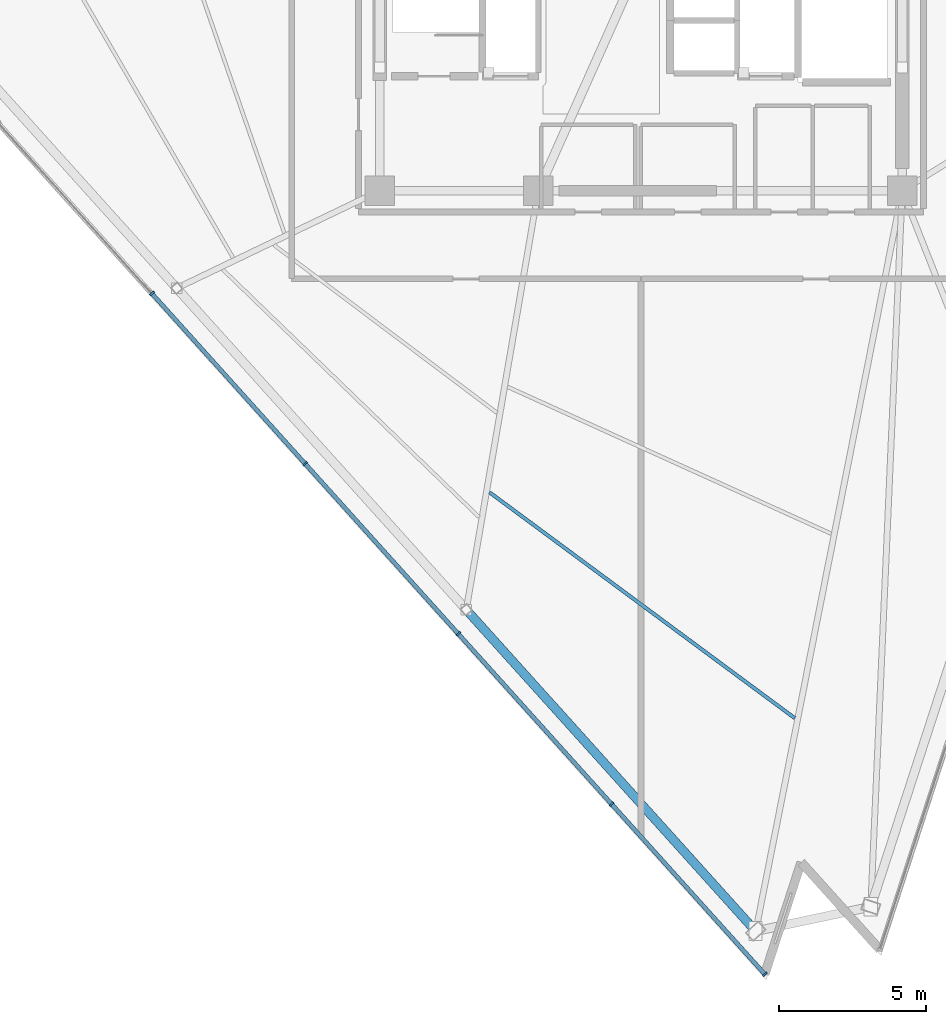
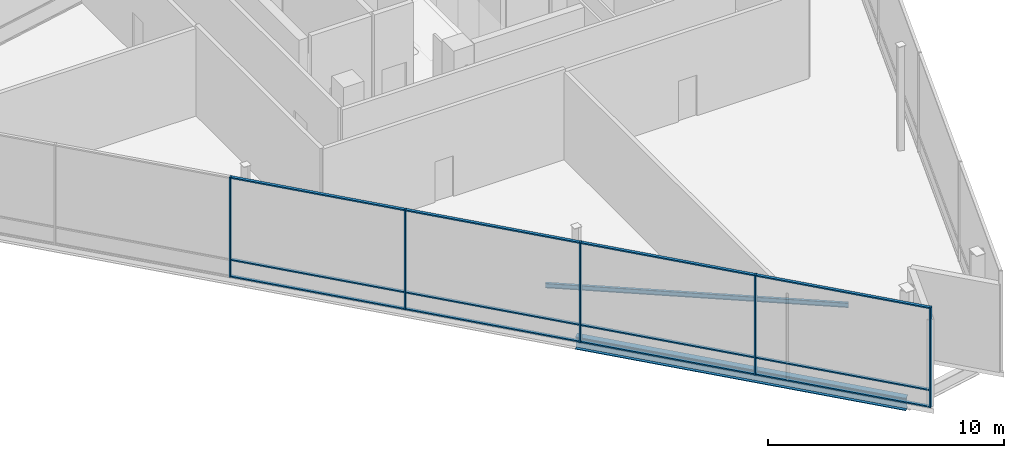
# One storey, part 3 of 14: 17 members, 2 beams, 1 element without a shape of its own.
"""IFC4 building model written with IfcOpenShell, lengths in metres."""

from ifc_helpers import new_model, si_unit, direction, frame, origin, origin_2d, place, context, subcontext, project, spatial, rectangle, i_section, extrude, material, layer, layer_set, material_profile, profile_set, type_object, element, aggregate, save


model = new_model("IFC4")

# Units and contexts
model_context = context("Model", 3, precision=1e-05, world=origin(), true_north=direction((0.0, 1.0)))
body_context = subcontext(model_context, "Body", "Model", "MODEL_VIEW")
ifc_project = project(units=[si_unit("LENGTHUNIT", "METRE"), si_unit("AREAUNIT", "SQUARE_METRE"), si_unit("VOLUMEUNIT", "CUBIC_METRE"), si_unit("PLANEANGLEUNIT", "RADIAN"), si_unit("MASSUNIT", "GRAM", prefix="KILO")], contexts=[model_context])

# Site, building, storey
site_placement = place(None, origin())
site = spatial("IfcSite", under=ifc_project, at=site_placement, CompositionType="ELEMENT")
building_placement = place(site_placement, origin())
building = spatial("IfcBuilding", under=site, at=building_placement, Name="Tharavind Bronze Gate", CompositionType="ELEMENT")
storey_placement = place(building_placement, frame((0.0, 0.0, 310.85009765625)))
storey = spatial("IfcBuildingStorey", under=building, at=storey_placement, Name="L80", CompositionType="ELEMENT", Elevation=310.85009765625)

# Curtain wall, members
ifc_material_1 = material(Name="Anodised Bronze Aluminium", Category="aluminium")
ifc_layer = layer(ifc_material_1, 0.219970703125)
ifc_layer_set = layer_set([ifc_layer], Name="Anodised Bronze Aluminium")
curtain_wall_type = type_object("IfcCurtainWallType", Name="UNITISED CURTAIN WALL CROWN", PredefinedType="USERDEFINED", material=ifc_layer_set)
curtain_wall_placement = place(storey_placement, origin())
curtain_wall = element("IfcCurtainWall", 1, at=curtain_wall_placement, inside=storey, type_object=curtain_wall_type, Name="L80 unitised curtain wall crown CW-L80-S1", ObjectType="UNITISED CURTAIN WALL", PredefinedType="USERDEFINED")
member_type_1 = type_object("IfcMemberType", Name="CURTAIN WALL BRONZE MULLION 65X180", PredefinedType="MULLION", material=ifc_material_1)
member_1_placement = place(storey_placement, frame((-16.663330078125, -11.101806640625, 0.0), z_axis=(0.0, 0.0, 1.0), x_axis=(0.669130606359, -0.743144825477, 0.0)))
member_1 = element("IfcMember", 2, at=member_1_placement, type_object=member_type_1, Name="CW-L80-S1 mullion 3", PredefinedType="MULLION", context=body_context, shape_type="SweptSolid", body=[
    extrude(rectangle(XDim=0.06494140625, YDim=0.179931640625, at=origin_2d()), origin(), (0.0, 0.0, 1.0), 5.179931640625),
])
member_2_placement = place(storey_placement, frame((-11.442138671875, -16.900390625, 0.0), z_axis=(0.0, 0.0, 1.0), x_axis=(0.669130606359, -0.743144825477, 0.0)))
member_2 = element("IfcMember", 3, at=member_2_placement, type_object=member_type_1, Name="CW-L80-S1 mullion 4", PredefinedType="MULLION", context=body_context, shape_type="SweptSolid", body=[
    extrude(rectangle(XDim=0.06494140625, YDim=0.179931640625, at=origin_2d()), origin(), (0.0, 0.0, 1.0), 5.179931640625),
])
member_3_placement = place(storey_placement, frame((-6.22119140625, -22.698974609375, 0.0), z_axis=(0.0, 0.0, 1.0), x_axis=(0.669130606359, -0.743144825477, 0.0)))
member_3 = element("IfcMember", 4, at=member_3_placement, type_object=member_type_1, Name="CW-L80-S1 mullion 5", PredefinedType="MULLION", context=body_context, shape_type="SweptSolid", body=[
    extrude(rectangle(XDim=0.06494140625, YDim=0.179931640625, at=origin_2d()), origin(), (0.0, 0.0, 1.0), 5.179931640625),
])
member_4_placement = place(storey_placement, frame((-1.000244140625, -28.49755859375, 0.0), z_axis=(0.0, 0.0, 1.0), x_axis=(0.669130606359, -0.743144825477, 0.0)))
member_4 = element("IfcMember", 5, at=member_4_placement, type_object=member_type_1, Name="CW-L80-S1 mullion 6", PredefinedType="MULLION", context=body_context, shape_type="SweptSolid", body=[
    extrude(rectangle(XDim=0.06494140625, YDim=0.179931640625, at=origin_2d()), origin(), (0.0, 0.0, 1.0), 5.179931640625),
])
member_5_placement = place(storey_placement, frame((4.220703125, -34.2958984375, 0.0), z_axis=(0.0, 0.0, 1.0), x_axis=(0.669130606359, -0.743144825477, 0.0)))
member_5 = element("IfcMember", 6, at=member_5_placement, type_object=member_type_1, Name="CW-L80-S1 mullion 7", PredefinedType="MULLION", context=body_context, shape_type="SweptSolid", body=[
    extrude(rectangle(XDim=0.06494140625, YDim=0.179931640625, at=origin_2d()), origin(), (0.0, 0.0, 1.0), 5.179931640625),
])
member_type_2 = type_object("IfcMemberType", Name="CURTAIN WALL BRONZE TRANSOM 65X140", PredefinedType="USERDEFINED", material=ifc_material_1)
member_6_placement = place(storey_placement, frame((-14.052734375, -14.001220703125, 0.0), z_axis=(0.0, 0.0, 1.0), x_axis=(0.669130606359, -0.743144825477, 0.0)))
member_6 = element("IfcMember", 7, at=member_6_placement, type_object=member_type_2, Name="CW-L80-S1 transom TB3", ObjectType="TRANSOM", PredefinedType="USERDEFINED", context=body_context, shape_type="SweptSolid", body=[
    extrude(rectangle(XDim=7.749755859375, YDim=0.139892578125, at=origin_2d()), origin(), (0.0, 0.0, 1.0), 0.06494140625),
])
member_7_placement = place(storey_placement, frame((-14.052734375, -14.001220703125, 0.867431640625), z_axis=(0.0, 0.0, 1.0), x_axis=(0.669130606359, -0.743144825477, 0.0)))
member_7 = element("IfcMember", 8, at=member_7_placement, type_object=member_type_2, Name="CW-L80-S1 transom TS3", ObjectType="TRANSOM", PredefinedType="USERDEFINED", context=body_context, shape_type="SweptSolid", body=[
    extrude(rectangle(XDim=7.749755859375, YDim=0.139892578125, at=origin_2d()), origin(), (0.0, 0.0, 1.0), 0.06494140625),
])
member_8_placement = place(storey_placement, frame((-14.052734375, -14.001220703125, 5.114990234375), z_axis=(0.0, 0.0, 1.0), x_axis=(0.669130606359, -0.743144825477, 0.0)))
member_8 = element("IfcMember", 9, at=member_8_placement, type_object=member_type_2, Name="CW-L80-S1 transom TT3", ObjectType="TRANSOM", PredefinedType="USERDEFINED", context=body_context, shape_type="SweptSolid", body=[
    extrude(rectangle(XDim=7.749755859375, YDim=0.139892578125, at=origin_2d()), origin(), (0.0, 0.0, 1.0), 0.06494140625),
])
member_9_placement = place(storey_placement, frame((-8.831787109375, -19.7998046875, 0.0), z_axis=(0.0, 0.0, 1.0), x_axis=(0.669130606359, -0.743144825477, 0.0)))
member_9 = element("IfcMember", 10, at=member_9_placement, type_object=member_type_2, Name="CW-L80-S1 transom TB4", ObjectType="TRANSOM", PredefinedType="USERDEFINED", context=body_context, shape_type="SweptSolid", body=[
    extrude(rectangle(XDim=7.749755859375, YDim=0.139892578125, at=origin_2d()), origin(), (0.0, 0.0, 1.0), 0.06494140625),
])
member_10_placement = place(storey_placement, frame((-8.831787109375, -19.7998046875, 0.867431640625), z_axis=(0.0, 0.0, 1.0), x_axis=(0.669130606359, -0.743144825477, 0.0)))
member_10 = element("IfcMember", 11, at=member_10_placement, type_object=member_type_2, Name="CW-L80-S1 transom TS4", ObjectType="TRANSOM", PredefinedType="USERDEFINED", context=body_context, shape_type="SweptSolid", body=[
    extrude(rectangle(XDim=7.749755859375, YDim=0.139892578125, at=origin_2d()), origin(), (0.0, 0.0, 1.0), 0.06494140625),
])
member_11_placement = place(storey_placement, frame((-8.831787109375, -19.7998046875, 5.114990234375), z_axis=(0.0, 0.0, 1.0), x_axis=(0.669130606359, -0.743144825477, 0.0)))
member_11 = element("IfcMember", 12, at=member_11_placement, type_object=member_type_2, Name="CW-L80-S1 transom TT4", ObjectType="TRANSOM", PredefinedType="USERDEFINED", context=body_context, shape_type="SweptSolid", body=[
    extrude(rectangle(XDim=7.749755859375, YDim=0.139892578125, at=origin_2d()), origin(), (0.0, 0.0, 1.0), 0.06494140625),
])
member_12_placement = place(storey_placement, frame((-3.610595703125, -25.59814453125, 0.0), z_axis=(0.0, 0.0, 1.0), x_axis=(0.669130606359, -0.743144825477, 0.0)))
member_12 = element("IfcMember", 13, at=member_12_placement, type_object=member_type_2, Name="CW-L80-S1 transom TB5", ObjectType="TRANSOM", PredefinedType="USERDEFINED", context=body_context, shape_type="SweptSolid", body=[
    extrude(rectangle(XDim=7.749755859375, YDim=0.139892578125, at=origin_2d()), origin(), (0.0, 0.0, 1.0), 0.06494140625),
])
member_13_placement = place(storey_placement, frame((-3.610595703125, -25.59814453125, 0.867431640625), z_axis=(0.0, 0.0, 1.0), x_axis=(0.669130606359, -0.743144825477, 0.0)))
member_13 = element("IfcMember", 14, at=member_13_placement, type_object=member_type_2, Name="CW-L80-S1 transom TS5", ObjectType="TRANSOM", PredefinedType="USERDEFINED", context=body_context, shape_type="SweptSolid", body=[
    extrude(rectangle(XDim=7.749755859375, YDim=0.139892578125, at=origin_2d()), origin(), (0.0, 0.0, 1.0), 0.06494140625),
])
member_14_placement = place(storey_placement, frame((-3.610595703125, -25.59814453125, 5.114990234375), z_axis=(0.0, 0.0, 1.0), x_axis=(0.669130606359, -0.743144825477, 0.0)))
member_14 = element("IfcMember", 15, at=member_14_placement, type_object=member_type_2, Name="CW-L80-S1 transom TT5", ObjectType="TRANSOM", PredefinedType="USERDEFINED", context=body_context, shape_type="SweptSolid", body=[
    extrude(rectangle(XDim=7.749755859375, YDim=0.139892578125, at=origin_2d()), origin(), (0.0, 0.0, 1.0), 0.06494140625),
])
member_15_placement = place(storey_placement, frame((1.6103515625, -31.396728515625, 0.0), z_axis=(0.0, 0.0, 1.0), x_axis=(0.669130606359, -0.743144825477, 0.0)))
member_15 = element("IfcMember", 16, at=member_15_placement, type_object=member_type_2, Name="CW-L80-S1 transom TB6", ObjectType="TRANSOM", PredefinedType="USERDEFINED", context=body_context, shape_type="SweptSolid", body=[
    extrude(rectangle(XDim=7.749755859375, YDim=0.139892578125, at=origin_2d()), origin(), (0.0, 0.0, 1.0), 0.06494140625),
])
member_16_placement = place(storey_placement, frame((1.6103515625, -31.396728515625, 0.867431640625), z_axis=(0.0, 0.0, 1.0), x_axis=(0.669130606359, -0.743144825477, 0.0)))
member_16 = element("IfcMember", 17, at=member_16_placement, type_object=member_type_2, Name="CW-L80-S1 transom TS6", ObjectType="TRANSOM", PredefinedType="USERDEFINED", context=body_context, shape_type="SweptSolid", body=[
    extrude(rectangle(XDim=7.749755859375, YDim=0.139892578125, at=origin_2d()), origin(), (0.0, 0.0, 1.0), 0.06494140625),
])
member_17_placement = place(storey_placement, frame((1.6103515625, -31.396728515625, 5.114990234375), z_axis=(0.0, 0.0, 1.0), x_axis=(0.669130606359, -0.743144825477, 0.0)))
member_17 = element("IfcMember", 18, at=member_17_placement, type_object=member_type_2, Name="CW-L80-S1 transom TT6", ObjectType="TRANSOM", PredefinedType="USERDEFINED", context=body_context, shape_type="SweptSolid", body=[
    extrude(rectangle(XDim=7.749755859375, YDim=0.139892578125, at=origin_2d()), origin(), (0.0, 0.0, 1.0), 0.06494140625),
])
aggregate(curtain_wall, [member_1, member_2, member_3, member_4, member_5, member_6, member_7, member_8, member_9, member_10, member_11, member_12, member_13, member_14, member_15, member_16, member_17])

# Beams
ifc_material_2 = material(Name="Steel S355", Category="steel")
ifc_material_profile_1 = material_profile(ifc_material_2, i_section(OverallWidth=0.300048828125, OverallDepth=0.64990234375, WebThickness=0.01611328125, FlangeThickness=0.031005859375, at=origin_2d()), Name="HE650B")
ifc_profile_set_1 = profile_set([ifc_material_profile_1], Name="Steel S355")
beam_type_1 = type_object("IfcBeamType", Name="PRIMARY GIRDER HE650B", PredefinedType="USERDEFINED", material=ifc_profile_set_1)
beam_1_placement = place(storey_placement, frame((-5.95361328125, -21.875244140625, -0.565185546875), z_axis=(0.669134014343, -0.7431417569, 0.0), x_axis=(0.7431417569, 0.669134014343, 0.0)))
element("IfcBeam", 19, at=beam_1_placement, inside=storey, type_object=beam_type_1, Name="L80 primary girder he650b BM-L80-PRG03", ObjectType="GIRDER", PredefinedType="USERDEFINED", context=body_context, shape_type="SweptSolid", body=[
    extrude(i_section(OverallWidth=0.300048828125, OverallDepth=0.64990234375, WebThickness=0.01611328125, FlangeThickness=0.031005859375, at=origin_2d()), origin(), (0.0, 0.0, 1.0), 14.7392578125),
])
ifc_material_profile_2 = material_profile(ifc_material_2, i_section(OverallWidth=0.1201171875, OverallDepth=0.239990234375, WebThickness=0.006103515625, FlangeThickness=0.009765625, at=origin_2d()), Name="IPE240")
ifc_profile_set_2 = profile_set([ifc_material_profile_2], Name="Steel S355")
beam_type_2 = type_object("IfcBeamType", Name="SECONDARY FLOOR JOIST IPE240", PredefinedType="JOIST", material=ifc_profile_set_2)
beam_2_placement = place(storey_placement, frame((-5.1611328125, -17.875732421875, -0.360107421875), z_axis=(0.803905058173, -0.594757645973, 0.0), x_axis=(0.594757645973, 0.803905058173, 0.0)))
element("IfcBeam", 20, at=beam_2_placement, inside=storey, type_object=beam_type_2, Name="L80 secondary floor joist ipe240 BM-L80-JSTB03", PredefinedType="JOIST", context=body_context, shape_type="SweptSolid", body=[
    extrude(i_section(OverallWidth=0.1201171875, OverallDepth=0.239990234375, WebThickness=0.006103515625, FlangeThickness=0.009765625, at=origin_2d()), origin(), (0.0, 0.0, 1.0), 12.937255859375),
])

save(model, "model.ifc")
